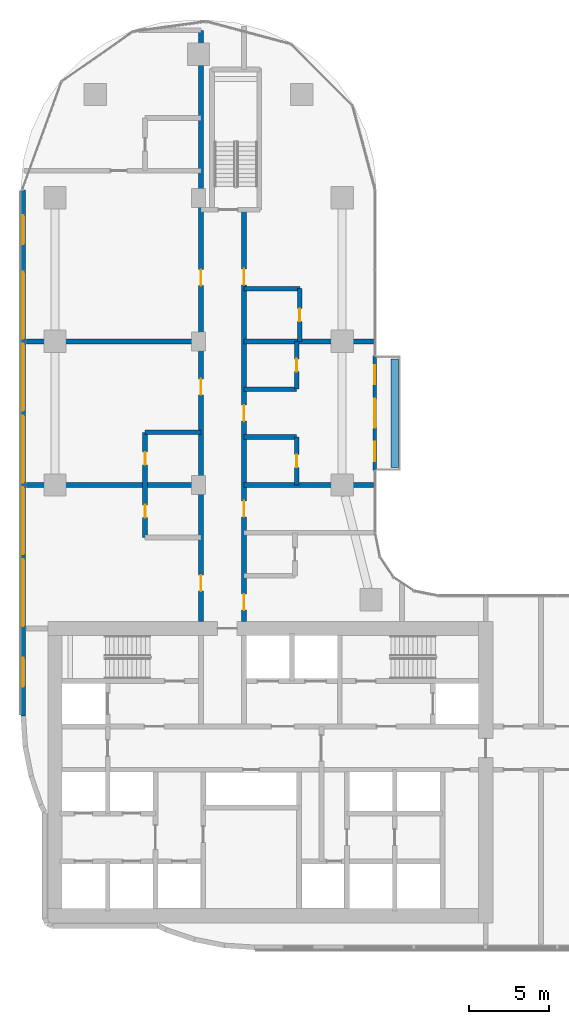
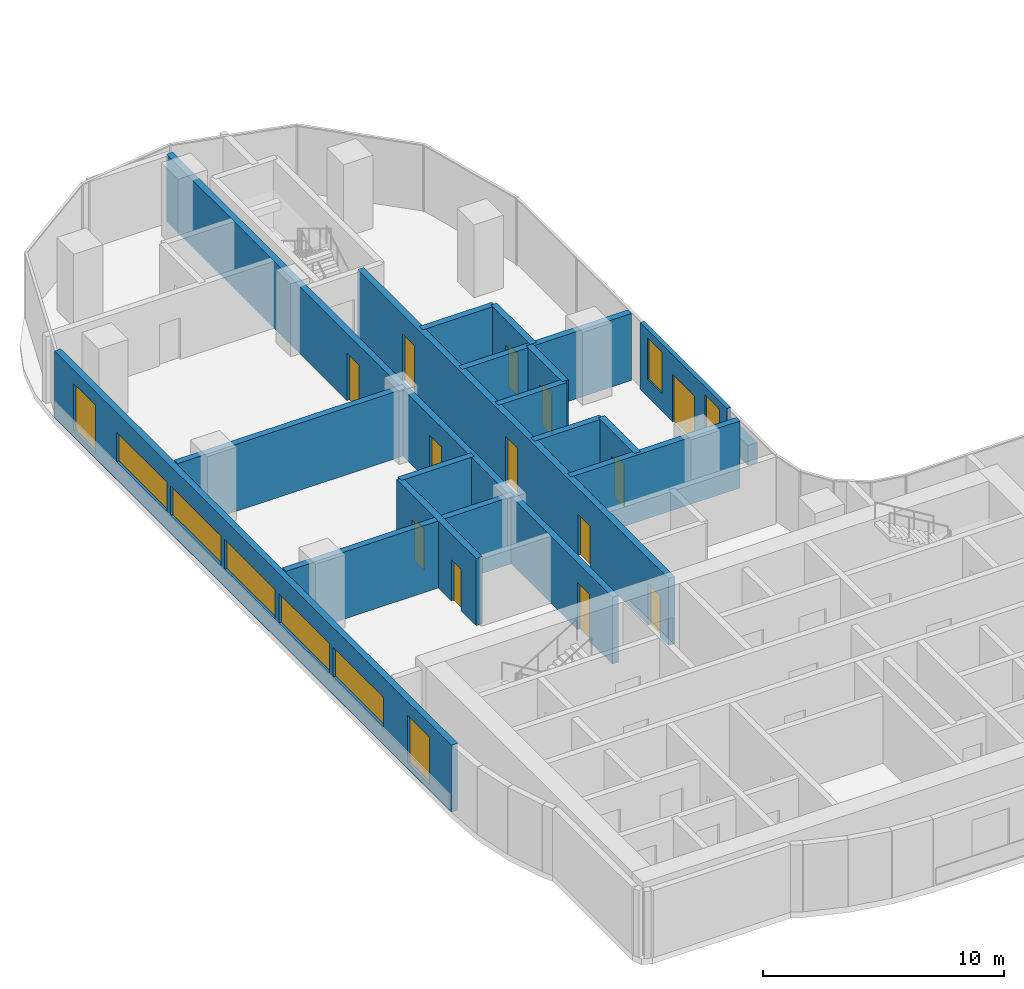
# One storey, part 19 of 32: 17 walls, 13 doors, 9 windows, 22 openings.
"""IFC4 building model written with IfcOpenShell, lengths in metres."""

from ifc_helpers import new_model, si_unit, direction, frame, frame_2d, origin, origin_2d, place, context, subcontext, project, spatial, rectangle, extrude, material, layer, layer_set, type_object, element, fill, save


model = new_model("IFC4")

# Units and contexts
model_context = context("Model", 3, precision=1e-05, world=origin(), true_north=direction((0.0, 1.0)))
body_context = subcontext(model_context, "Body", "Model", "MODEL_VIEW")
ifc_project = project(units=[si_unit("LENGTHUNIT", "METRE"), si_unit("AREAUNIT", "SQUARE_METRE"), si_unit("VOLUMEUNIT", "CUBIC_METRE"), si_unit("PLANEANGLEUNIT", "RADIAN"), si_unit("MASSUNIT", "GRAM", prefix="KILO")], contexts=[model_context])

# Site, building, storey
site_placement = place(None, origin())
site = spatial("IfcSite", under=ifc_project, at=site_placement, CompositionType="ELEMENT")
building_placement = place(site_placement, origin())
building = spatial("IfcBuilding", under=site, at=building_placement, Name="Ogive Portal Towers", CompositionType="ELEMENT")
storey_placement = place(building_placement, frame((0.0, 0.0, 55.699951171875)))
storey = spatial("IfcBuildingStorey", under=building, at=storey_placement, Name="L12", CompositionType="ELEMENT", Elevation=55.699951171875)

# Wall, openings, door, windows
ifc_material_1 = material(Name="Limestone cladding on lightweight block wall", Category="masonry")
ifc_layer_1 = layer(ifc_material_1, 0.199951171875)
ifc_layer_set_1 = layer_set([ifc_layer_1], Name="BALCONY BAY WALL 200")
wall_type_1 = type_object("IfcWallType", Name="BALCONY BAY WALL 200", PredefinedType="SOLIDWALL", material=ifc_layer_set_1)
wall_1_placement = place(storey_placement, frame((51.544921875, 56.60009765625, 0.0), z_axis=(0.0, 0.0, 1.0), x_axis=(0.0, -1.0, 0.0)))
wall_1 = element("IfcWall", 1, at=wall_1_placement, inside=storey, type_object=wall_type_1, Name="A:L12:f21:bay0", PredefinedType="SOLIDWALL", context=body_context, shape_type="SweptSolid", body=[
    extrude(rectangle(XDim=7.2001953125, YDim=0.199951171875, at=frame_2d((3.60009765625, 0.0))), origin(), (0.0, 0.0, 1.0), 3.400146484375),
])
opening_1_placement = place(wall_1_placement, frame((2.699951171875, 0.0, 0.0)))
opening_1 = element("IfcOpeningElement", 2, at=opening_1_placement, cuts=wall_1, Name="Opening DX026", PredefinedType="OPENING", context=body_context, shape_type="SweptSolid", body=[
    extrude(rectangle(XDim=1.800048828125, YDim=2.39990234375, at=frame_2d((0.89990234375, 1.199951171875))), frame((0.0, 0.10986328125, 0.0), z_axis=(0.0, -1.0, 0.0), x_axis=(1.0, 0.0, 0.0)), (0.0, 0.0, 1.0), 0.219970703125),
])
opening_2_placement = place(wall_1_placement, frame((5.39990234375, 0.0, 0.89990234375)))
opening_2 = element("IfcOpeningElement", 3, at=opening_2_placement, cuts=wall_1, Name="Opening WN2", PredefinedType="OPENING", context=body_context, shape_type="SweptSolid", body=[
    extrude(rectangle(XDim=1.199951171875, YDim=2.10009765625, at=frame_2d((0.60009765625, 1.050048828125))), frame((0.0, 0.10986328125, 0.0), z_axis=(0.0, -1.0, 0.0), x_axis=(1.0, 0.0, 0.0)), (0.0, 0.0, 1.0), 0.219970703125),
])
opening_3_placement = place(wall_1_placement, frame((0.60009765625, 0.0, 0.89990234375)))
opening_3 = element("IfcOpeningElement", 4, at=opening_3_placement, cuts=wall_1, Name="Opening WN2", PredefinedType="OPENING", context=body_context, shape_type="SweptSolid", body=[
    extrude(rectangle(XDim=1.199951171875, YDim=2.10009765625, at=frame_2d((0.60009765625, 1.050048828125))), frame((0.0, 0.10986328125, 0.0), z_axis=(0.0, -1.0, 0.0), x_axis=(1.0, 0.0, 0.0)), (0.0, 0.0, 1.0), 0.219970703125),
])
ifc_material_2 = material(Name="Aluminium 6063 anodised", Category="aluminium")
door_type_1 = type_object("IfcDoorType", Name="BALCONY DOOR 1800x2400", OperationType="DOUBLE_DOOR_SINGLE_SWING", PredefinedType="DOOR", material=ifc_material_2)
door_1_placement = place(opening_1_placement, origin())
door_1 = element("IfcDoor", 5, at=door_1_placement, inside=storey, type_object=door_type_1, Name="A:L12:f21:bay0/o0", OperationType="SINGLE_SWING_LEFT", OverallHeight=2.39990234375, OverallWidth=1.800048828125, PredefinedType="DOOR", context=body_context, shape_type="SweptSolid", body=[
    extrude(rectangle(XDim=1.800048828125, YDim=2.39990234375, at=frame_2d((0.89990234375, 1.199951171875))), frame((0.0, 0.02490234375, 0.0), z_axis=(0.0, -1.0, 0.0), x_axis=(1.0, 0.0, 0.0)), (0.0, 0.0, 1.0), 0.050048828125),
])
fill(opening_1, door_1)
ifc_material_3 = material(Name="Glass, clear low-iron insulated glazing", Category="glass")
window_type_1 = type_object("IfcWindowType", Name="WINDOW BALCONY BAY 1200x2100", PartitioningType="SINGLE_PANEL", PredefinedType="WINDOW", material=ifc_material_3)
window_1_placement = place(opening_2_placement, origin())
window_1 = element("IfcWindow", 6, at=window_1_placement, inside=storey, type_object=window_type_1, Name="A:L12:f21:bay0/o1", OverallHeight=2.10009765625, OverallWidth=1.199951171875, PartitioningType="SINGLE_PANEL", PredefinedType="WINDOW", context=body_context, shape_type="SweptSolid", body=[
    extrude(rectangle(XDim=1.199951171875, YDim=2.10009765625, at=frame_2d((0.60009765625, 1.050048828125))), frame((0.0, 0.030029296875, 0.0), z_axis=(0.0, -1.0, 0.0), x_axis=(1.0, 0.0, 0.0)), (0.0, 0.0, 1.0), 0.06005859375),
])
fill(opening_2, window_1)
window_2_placement = place(opening_3_placement, origin())
window_2 = element("IfcWindow", 7, at=window_2_placement, inside=storey, type_object=window_type_1, Name="A:L12:f21:bay0/o2", OverallHeight=2.10009765625, OverallWidth=1.199951171875, PartitioningType="SINGLE_PANEL", PredefinedType="WINDOW", context=body_context, shape_type="SweptSolid", body=[
    extrude(rectangle(XDim=1.199951171875, YDim=2.10009765625, at=frame_2d((0.60009765625, 1.050048828125))), frame((0.0, 0.030029296875, 0.0), z_axis=(0.0, -1.0, 0.0), x_axis=(1.0, 0.0, 0.0)), (0.0, 0.0, 1.0), 0.06005859375),
])
fill(opening_3, window_2)

# Wall, openings, windows
ifc_layer_2 = layer(ifc_material_1, 0.300048828125)
ifc_layer_set_2 = layer_set([ifc_layer_2], Name="EXTERNAL WALL 300 STONE")
wall_type_2 = type_object("IfcWallType", Name="EXTERNAL WALL 300 STONE", PredefinedType="SOLIDWALL", material=ifc_layer_set_2)
wall_2_placement = place(storey_placement, frame((29.5048828125, 66.98583984375, 0.0), z_axis=(0.0, 0.0, 1.0), x_axis=(0.0, -1.0, 0.0)))
wall_2 = element("IfcWall", 8, at=wall_2_placement, inside=storey, type_object=wall_type_2, Name="A:L12:f28:r0:wall", PredefinedType="SOLIDWALL", context=body_context, shape_type="SweptSolid", body=[
    extrude(rectangle(XDim=32.97607421875, YDim=0.300048828125, at=frame_2d((16.488037109375, 0.0))), origin(), (0.0, 0.0, 1.0), 3.400146484375),
])
opening_4_placement = place(wall_2_placement, frame((1.593017578125, 0.0, 0.300048828125)))
opening_4 = element("IfcOpeningElement", 9, at=opening_4_placement, cuts=wall_2, Name="Opening WN10", PredefinedType="OPENING", context=body_context, shape_type="SweptSolid", body=[
    extrude(rectangle(XDim=1.800048828125, YDim=2.39990234375, at=frame_2d((0.89990234375, 1.199951171875))), frame((0.0, 0.16015625, 0.0), z_axis=(0.0, -1.0, 0.0), x_axis=(1.0, 0.0, 0.0)), (0.0, 0.0, 1.0), 0.320068359375),
])
opening_5_placement = place(wall_2_placement, frame((5.135986328125, 0.0, 0.89990234375)))
opening_5 = element("IfcOpeningElement", 10, at=opening_5_placement, cuts=wall_2, Name="Opening WN11", PredefinedType="OPENING", context=body_context, shape_type="SweptSolid", body=[
    extrude(rectangle(XDim=4.199951171875, YDim=1.5, at=frame_2d((2.10009765625, 0.75))), frame((0.0, 0.16015625, 0.0), z_axis=(0.0, -1.0, 0.0), x_axis=(1.0, 0.0, 0.0)), (0.0, 0.0, 1.0), 0.320068359375),
])
opening_6_placement = place(wall_2_placement, frame((9.635986328125, 0.0, 0.89990234375)))
opening_6 = element("IfcOpeningElement", 11, at=opening_6_placement, cuts=wall_2, Name="Opening WN11", PredefinedType="OPENING", context=body_context, shape_type="SweptSolid", body=[
    extrude(rectangle(XDim=4.199951171875, YDim=1.5, at=frame_2d((2.10009765625, 0.75))), frame((0.0, 0.16015625, 0.0), z_axis=(0.0, -1.0, 0.0), x_axis=(1.0, 0.0, 0.0)), (0.0, 0.0, 1.0), 0.320068359375),
])
opening_7_placement = place(wall_2_placement, frame((14.135986328125, 0.0, 0.89990234375)))
opening_7 = element("IfcOpeningElement", 12, at=opening_7_placement, cuts=wall_2, Name="Opening WN11", PredefinedType="OPENING", context=body_context, shape_type="SweptSolid", body=[
    extrude(rectangle(XDim=4.199951171875, YDim=1.5, at=frame_2d((2.10009765625, 0.75))), frame((0.0, 0.16015625, 0.0), z_axis=(0.0, -1.0, 0.0), x_axis=(1.0, 0.0, 0.0)), (0.0, 0.0, 1.0), 0.320068359375),
])
opening_8_placement = place(wall_2_placement, frame((18.635986328125, 0.0, 0.89990234375)))
opening_8 = element("IfcOpeningElement", 13, at=opening_8_placement, cuts=wall_2, Name="Opening WN11", PredefinedType="OPENING", context=body_context, shape_type="SweptSolid", body=[
    extrude(rectangle(XDim=4.199951171875, YDim=1.5, at=frame_2d((2.10009765625, 0.75))), frame((0.0, 0.16015625, 0.0), z_axis=(0.0, -1.0, 0.0), x_axis=(1.0, 0.0, 0.0)), (0.0, 0.0, 1.0), 0.320068359375),
])
opening_9_placement = place(wall_2_placement, frame((23.135986328125, 0.0, 0.89990234375)))
opening_9 = element("IfcOpeningElement", 14, at=opening_9_placement, cuts=wall_2, Name="Opening WN11", PredefinedType="OPENING", context=body_context, shape_type="SweptSolid", body=[
    extrude(rectangle(XDim=4.199951171875, YDim=1.5, at=frame_2d((2.10009765625, 0.75))), frame((0.0, 0.16015625, 0.0), z_axis=(0.0, -1.0, 0.0), x_axis=(1.0, 0.0, 0.0)), (0.0, 0.0, 1.0), 0.320068359375),
])
opening_10_placement = place(wall_2_placement, frame((29.3310546875, 0.0, 0.300048828125)))
opening_10 = element("IfcOpeningElement", 15, at=opening_10_placement, cuts=wall_2, Name="Opening WN10", PredefinedType="OPENING", context=body_context, shape_type="SweptSolid", body=[
    extrude(rectangle(XDim=1.800048828125, YDim=2.39990234375, at=frame_2d((0.89990234375, 1.199951171875))), frame((0.0, 0.16015625, 0.0), z_axis=(0.0, -1.0, 0.0), x_axis=(1.0, 0.0, 0.0)), (0.0, 0.0, 1.0), 0.320068359375),
])
window_type_2 = type_object("IfcWindowType", Name="WINDOW RIBBON 4200x1500", PartitioningType="TRIPLE_PANEL_VERTICAL", PredefinedType="WINDOW", material=ifc_material_3)
window_3_placement = place(opening_5_placement, origin())
window_3 = element("IfcWindow", 16, at=window_3_placement, inside=storey, type_object=window_type_2, Name="A:L12:f28:r0:w1", OverallHeight=1.5, OverallWidth=4.199951171875, PartitioningType="SINGLE_PANEL", PredefinedType="WINDOW", context=body_context, shape_type="SweptSolid", body=[
    extrude(rectangle(XDim=4.199951171875, YDim=1.5, at=frame_2d((2.10009765625, 0.75))), frame((0.0, 0.030029296875, 0.0), z_axis=(0.0, -1.0, 0.0), x_axis=(1.0, 0.0, 0.0)), (0.0, 0.0, 1.0), 0.06005859375),
])
fill(opening_5, window_3)
window_4_placement = place(opening_6_placement, origin())
window_4 = element("IfcWindow", 17, at=window_4_placement, inside=storey, type_object=window_type_2, Name="A:L12:f28:r0:w2", OverallHeight=1.5, OverallWidth=4.199951171875, PartitioningType="SINGLE_PANEL", PredefinedType="WINDOW", context=body_context, shape_type="SweptSolid", body=[
    extrude(rectangle(XDim=4.199951171875, YDim=1.5, at=frame_2d((2.10009765625, 0.75))), frame((0.0, 0.030029296875, 0.0), z_axis=(0.0, -1.0, 0.0), x_axis=(1.0, 0.0, 0.0)), (0.0, 0.0, 1.0), 0.06005859375),
])
fill(opening_6, window_4)
window_5_placement = place(opening_7_placement, origin())
window_5 = element("IfcWindow", 18, at=window_5_placement, inside=storey, type_object=window_type_2, Name="A:L12:f28:r0:w3", OverallHeight=1.5, OverallWidth=4.199951171875, PartitioningType="SINGLE_PANEL", PredefinedType="WINDOW", context=body_context, shape_type="SweptSolid", body=[
    extrude(rectangle(XDim=4.199951171875, YDim=1.5, at=frame_2d((2.10009765625, 0.75))), frame((0.0, 0.030029296875, 0.0), z_axis=(0.0, -1.0, 0.0), x_axis=(1.0, 0.0, 0.0)), (0.0, 0.0, 1.0), 0.06005859375),
])
fill(opening_7, window_5)
window_6_placement = place(opening_8_placement, origin())
window_6 = element("IfcWindow", 19, at=window_6_placement, inside=storey, type_object=window_type_2, Name="A:L12:f28:r0:w4", OverallHeight=1.5, OverallWidth=4.199951171875, PartitioningType="SINGLE_PANEL", PredefinedType="WINDOW", context=body_context, shape_type="SweptSolid", body=[
    extrude(rectangle(XDim=4.199951171875, YDim=1.5, at=frame_2d((2.10009765625, 0.75))), frame((0.0, 0.030029296875, 0.0), z_axis=(0.0, -1.0, 0.0), x_axis=(1.0, 0.0, 0.0)), (0.0, 0.0, 1.0), 0.06005859375),
])
fill(opening_8, window_6)
window_7_placement = place(opening_9_placement, origin())
window_7 = element("IfcWindow", 20, at=window_7_placement, inside=storey, type_object=window_type_2, Name="A:L12:f28:r0:w5", OverallHeight=1.5, OverallWidth=4.199951171875, PartitioningType="SINGLE_PANEL", PredefinedType="WINDOW", context=body_context, shape_type="SweptSolid", body=[
    extrude(rectangle(XDim=4.199951171875, YDim=1.5, at=frame_2d((2.10009765625, 0.75))), frame((0.0, 0.030029296875, 0.0), z_axis=(0.0, -1.0, 0.0), x_axis=(1.0, 0.0, 0.0)), (0.0, 0.0, 1.0), 0.06005859375),
])
fill(opening_9, window_7)
window_type_3 = type_object("IfcWindowType", Name="WINDOW SUITE CORNER 1800x2400", PartitioningType="DOUBLE_PANEL_VERTICAL", PredefinedType="WINDOW", material=ifc_material_3)
window_8_placement = place(opening_4_placement, origin())
window_8 = element("IfcWindow", 21, at=window_8_placement, inside=storey, type_object=window_type_3, Name="A:L12:f28:r0:w0", OverallHeight=2.39990234375, OverallWidth=1.800048828125, PartitioningType="SINGLE_PANEL", PredefinedType="WINDOW", context=body_context, shape_type="SweptSolid", body=[
    extrude(rectangle(XDim=1.800048828125, YDim=2.39990234375, at=frame_2d((0.89990234375, 1.199951171875))), frame((0.0, 0.030029296875, 0.0), z_axis=(0.0, -1.0, 0.0), x_axis=(1.0, 0.0, 0.0)), (0.0, 0.0, 1.0), 0.06005859375),
])
fill(opening_4, window_8)
window_9_placement = place(opening_10_placement, origin())
window_9 = element("IfcWindow", 22, at=window_9_placement, inside=storey, type_object=window_type_3, Name="A:L12:f28:r0:w6", OverallHeight=2.39990234375, OverallWidth=1.800048828125, PartitioningType="SINGLE_PANEL", PredefinedType="WINDOW", context=body_context, shape_type="SweptSolid", body=[
    extrude(rectangle(XDim=1.800048828125, YDim=2.39990234375, at=frame_2d((0.89990234375, 1.199951171875))), frame((0.0, 0.030029296875, 0.0), z_axis=(0.0, -1.0, 0.0), x_axis=(1.0, 0.0, 0.0)), (0.0, 0.0, 1.0), 0.06005859375),
])
fill(opening_10, window_9)

# Walls
ifc_material_4 = material(Name="Concrete C40/50", Category="concrete")
ifc_layer_3 = layer(ifc_material_4, 0.449951171875)
ifc_layer_set_3 = layer_set([ifc_layer_3], Name="PLANTER WALL 450")
wall_type_3 = type_object("IfcWallType", Name="PLANTER WALL 450", PredefinedType="SOLIDWALL", material=ifc_layer_set_3)
wall_3_placement = place(storey_placement, frame((52.800048828125, 53.0, 0.0), z_axis=(0.0, 0.0, 1.0), x_axis=(1.0, 0.0, 0.0)))
element("IfcWall", 23, at=wall_3_placement, inside=storey, type_object=wall_type_3, Name="Planter S1", PredefinedType="SOLIDWALL", context=body_context, shape_type="SweptSolid", body=[
    extrude(rectangle(XDim=0.449951171875, YDim=6.800048828125, at=origin_2d()), origin(), (0.0, 0.0, 1.0), 1.0),
])
ifc_material_5 = material(Name="Gypsum board partition on steel studs", Category="steel")
ifc_layer_4 = layer(ifc_material_5, 0.300048828125)
ifc_layer_set_4 = layer_set([ifc_layer_4], Name="WT-PART-300-EI 60")
wall_type_4 = type_object("IfcWallType", Name="WT-PART-300-EI 60", PredefinedType="PARTITIONING", material=ifc_layer_set_4)
wall_4_placement = place(storey_placement, frame((29.705078125, 48.5, 0.0), z_axis=(0.0, 0.0, 1.0), x_axis=(1.0, 0.0, 0.0)))
element("IfcWall", 24, at=wall_4_placement, inside=storey, type_object=wall_type_4, Name="Wall L12:w018", PredefinedType="PARTITIONING", context=body_context, shape_type="SweptSolid", body=[
    extrude(rectangle(XDim=10.94482421875, YDim=0.300048828125, at=frame_2d((5.472412109375, 0.0))), origin(), (0.0, 0.0, 1.0), 3.400146484375),
])
wall_5_placement = place(storey_placement, frame((43.35009765625, 48.5, 0.0), z_axis=(0.0, 0.0, 1.0), x_axis=(1.0, 0.0, 0.0)))
element("IfcWall", 25, at=wall_5_placement, inside=storey, type_object=wall_type_4, Name="Wall L12:w019", PredefinedType="PARTITIONING", context=body_context, shape_type="SweptSolid", body=[
    extrude(rectangle(XDim=8.125, YDim=0.300048828125, at=frame_2d((4.0625, 0.0))), origin(), (0.0, 0.0, 1.0), 3.400146484375),
])
wall_6_placement = place(storey_placement, frame((43.35009765625, 51.5, 0.0), z_axis=(0.0, 0.0, 1.0), x_axis=(1.0, 0.0, 0.0)))
element("IfcWall", 26, at=wall_6_placement, inside=storey, type_object=wall_type_4, Name="Wall L12:w020", PredefinedType="PARTITIONING", context=body_context, shape_type="SweptSolid", body=[
    extrude(rectangle(XDim=3.2998046875, YDim=0.300048828125, at=frame_2d((1.64990234375, 0.0))), origin(), (0.0, 0.0, 1.0), 3.400146484375),
])
wall_7_placement = place(storey_placement, frame((37.14990234375, 51.800048828125, 0.0), z_axis=(0.0, 0.0, 1.0), x_axis=(1.0, 0.0, 0.0)))
element("IfcWall", 27, at=wall_7_placement, inside=storey, type_object=wall_type_4, Name="Wall L12:w021", PredefinedType="PARTITIONING", context=body_context, shape_type="SweptSolid", body=[
    extrude(rectangle(XDim=3.5, YDim=0.300048828125, at=frame_2d((1.75, 0.0))), origin(), (0.0, 0.0, 1.0), 3.400146484375),
])
wall_8_placement = place(storey_placement, frame((43.35009765625, 54.5, 0.0), z_axis=(0.0, 0.0, 1.0), x_axis=(1.0, 0.0, 0.0)))
element("IfcWall", 28, at=wall_8_placement, inside=storey, type_object=wall_type_4, Name="Wall L12:w022", PredefinedType="PARTITIONING", context=body_context, shape_type="SweptSolid", body=[
    extrude(rectangle(XDim=3.2998046875, YDim=0.300048828125, at=frame_2d((1.64990234375, 0.0))), origin(), (0.0, 0.0, 1.0), 3.400146484375),
])
wall_9_placement = place(storey_placement, frame((29.705078125, 57.5, 0.0), z_axis=(0.0, 0.0, 1.0), x_axis=(1.0, 0.0, 0.0)))
element("IfcWall", 29, at=wall_9_placement, inside=storey, type_object=wall_type_4, Name="Wall L12:w023", PredefinedType="PARTITIONING", context=body_context, shape_type="SweptSolid", body=[
    extrude(rectangle(XDim=10.94482421875, YDim=0.300048828125, at=frame_2d((5.472412109375, 0.0))), origin(), (0.0, 0.0, 1.0), 3.400146484375),
])
wall_10_placement = place(storey_placement, frame((43.35009765625, 57.5, 0.0), z_axis=(0.0, 0.0, 1.0), x_axis=(1.0, 0.0, 0.0)))
element("IfcWall", 30, at=wall_10_placement, inside=storey, type_object=wall_type_4, Name="Wall L12:w024", PredefinedType="PARTITIONING", context=body_context, shape_type="SweptSolid", body=[
    extrude(rectangle(XDim=8.125, YDim=0.300048828125, at=frame_2d((4.0625, 0.0))), origin(), (0.0, 0.0, 1.0), 3.400146484375),
])
wall_11_placement = place(storey_placement, frame((43.35009765625, 60.800048828125, 0.0), z_axis=(0.0, 0.0, 1.0), x_axis=(1.0, 0.0, 0.0)))
element("IfcWall", 31, at=wall_11_placement, inside=storey, type_object=wall_type_4, Name="Wall L12:w025", PredefinedType="PARTITIONING", context=body_context, shape_type="SweptSolid", body=[
    extrude(rectangle(XDim=3.5, YDim=0.300048828125, at=frame_2d((1.75, 0.0))), origin(), (0.0, 0.0, 1.0), 3.400146484375),
])

# Wall, openings, doors
wall_12_placement = place(storey_placement, frame((37.14990234375, 45.199951171875, 0.0), z_axis=(0.0, 0.0, 1.0), x_axis=(0.0, 1.0, 0.0)))
wall_12 = element("IfcWall", 32, at=wall_12_placement, inside=storey, type_object=wall_type_4, Name="Wall L12:w031", PredefinedType="PARTITIONING", context=body_context, shape_type="SweptSolid", body=[
    extrude(rectangle(XDim=6.60009765625, YDim=0.300048828125, at=frame_2d((3.300048828125, 0.0))), origin(), (0.0, 0.0, 1.0), 3.400146484375),
])
opening_11_placement = place(wall_12_placement, frame((1.25, 0.0, 0.0)))
opening_11 = element("IfcOpeningElement", 33, at=opening_11_placement, cuts=wall_12, Name="Opening D03-046", PredefinedType="OPENING", context=body_context, shape_type="SweptSolid", body=[
    extrude(rectangle(XDim=0.800048828125, YDim=2.10009765625, at=frame_2d((0.39990234375, 1.050048828125))), frame((0.0, 0.16015625, 0.0), z_axis=(0.0, -1.0, 0.0), x_axis=(1.0, 0.0, 0.0)), (0.0, 0.0, 1.0), 0.320068359375),
])
opening_12_placement = place(wall_12_placement, frame((4.550048828125, 0.0, 0.0)))
opening_12 = element("IfcOpeningElement", 34, at=opening_12_placement, cuts=wall_12, Name="Opening D03-051", PredefinedType="OPENING", context=body_context, shape_type="SweptSolid", body=[
    extrude(rectangle(XDim=0.800048828125, YDim=2.10009765625, at=frame_2d((0.39990234375, 1.050048828125))), frame((0.0, 0.16015625, 0.0), z_axis=(0.0, -1.0, 0.0), x_axis=(1.0, 0.0, 0.0)), (0.0, 0.0, 1.0), 0.320068359375),
])
ifc_material_6 = material(Name="Steel fire door", Category="steel")
door_type_2 = type_object("IfcDoorType", Name="DT-BATH-800x2100-FD60S", OperationType="SINGLE_SWING_LEFT", PredefinedType="DOOR", material=ifc_material_6)
door_2_placement = place(opening_11_placement, origin())
door_2 = element("IfcDoor", 35, at=door_2_placement, inside=storey, type_object=door_type_2, Name="Door D03-046", OperationType="SINGLE_SWING_LEFT", OverallHeight=2.10009765625, OverallWidth=0.800048828125, PredefinedType="DOOR", context=body_context, shape_type="SweptSolid", body=[
    extrude(rectangle(XDim=0.800048828125, YDim=2.10009765625, at=frame_2d((0.39990234375, 1.050048828125))), frame((0.0, 0.02490234375, 0.0), z_axis=(0.0, -1.0, 0.0), x_axis=(1.0, 0.0, 0.0)), (0.0, 0.0, 1.0), 0.050048828125),
])
fill(opening_11, door_2)
door_3_placement = place(opening_12_placement, origin())
door_3 = element("IfcDoor", 36, at=door_3_placement, inside=storey, type_object=door_type_2, Name="Door D03-051", OperationType="SINGLE_SWING_RIGHT", OverallHeight=2.10009765625, OverallWidth=0.800048828125, PredefinedType="DOOR", context=body_context, shape_type="SweptSolid", body=[
    extrude(rectangle(XDim=0.800048828125, YDim=2.10009765625, at=frame_2d((0.39990234375, 1.050048828125))), frame((0.0, 0.02490234375, 0.0), z_axis=(0.0, -1.0, 0.0), x_axis=(1.0, 0.0, 0.0)), (0.0, 0.0, 1.0), 0.050048828125),
])
fill(opening_12, door_3)

wall_13_placement = place(storey_placement, frame((40.64990234375, 39.949951171875, 0.0), z_axis=(0.0, 0.0, 1.0), x_axis=(0.0, 1.0, 0.0)))
wall_13 = element("IfcWall", 37, at=wall_13_placement, inside=storey, type_object=wall_type_4, Name="Wall L12:w033", PredefinedType="PARTITIONING", context=body_context, shape_type="SweptSolid", body=[
    extrude(rectangle(XDim=37.050048828125, YDim=0.300048828125, at=frame_2d((18.52490234375, 0.0))), origin(), (0.0, 0.0, 1.0), 3.400146484375),
])
opening_13_placement = place(wall_13_placement, frame((1.89990234375, 0.0, 0.0)))
opening_13 = element("IfcOpeningElement", 38, at=opening_13_placement, cuts=wall_13, Name="Opening D03-047", PredefinedType="OPENING", context=body_context, shape_type="SweptSolid", body=[
    extrude(rectangle(XDim=1.0, YDim=2.39990234375, at=frame_2d((0.5, 1.199951171875))), frame((0.0, 0.16015625, 0.0), z_axis=(0.0, -1.0, 0.0), x_axis=(1.0, 0.0, 0.0)), (0.0, 0.0, 1.0), 0.320068359375),
])
opening_14_placement = place(wall_13_placement, frame((14.199951171875, 0.0, 0.0)))
opening_14 = element("IfcOpeningElement", 39, at=opening_14_placement, cuts=wall_13, Name="Opening D03-052", PredefinedType="OPENING", context=body_context, shape_type="SweptSolid", body=[
    extrude(rectangle(XDim=1.0, YDim=2.39990234375, at=frame_2d((0.5, 1.199951171875))), frame((0.0, 0.16015625, 0.0), z_axis=(0.0, -1.0, 0.0), x_axis=(1.0, 0.0, 0.0)), (0.0, 0.0, 1.0), 0.320068359375),
])
opening_15_placement = place(wall_13_placement, frame((21.050048828125, 0.0, 0.0)))
opening_15 = element("IfcOpeningElement", 40, at=opening_15_placement, cuts=wall_13, Name="Opening D03-055", PredefinedType="OPENING", context=body_context, shape_type="SweptSolid", body=[
    extrude(rectangle(XDim=1.0, YDim=2.39990234375, at=frame_2d((0.5, 1.199951171875))), frame((0.0, 0.16015625, 0.0), z_axis=(0.0, -1.0, 0.0), x_axis=(1.0, 0.0, 0.0)), (0.0, 0.0, 1.0), 0.320068359375),
])
door_type_3 = type_object("IfcDoorType", Name="DT-ENTRY-1000x2400-FD60S", OperationType="SINGLE_SWING_LEFT", PredefinedType="DOOR", material=ifc_material_6)
door_4_placement = place(opening_13_placement, origin())
door_4 = element("IfcDoor", 41, at=door_4_placement, inside=storey, type_object=door_type_3, Name="Door D03-047", OperationType="SINGLE_SWING_RIGHT", OverallHeight=2.39990234375, OverallWidth=1.0, PredefinedType="DOOR", context=body_context, shape_type="SweptSolid", body=[
    extrude(rectangle(XDim=1.0, YDim=2.39990234375, at=frame_2d((0.5, 1.199951171875))), frame((0.0, 0.02490234375, 0.0), z_axis=(0.0, -1.0, 0.0), x_axis=(1.0, 0.0, 0.0)), (0.0, 0.0, 1.0), 0.050048828125),
])
fill(opening_13, door_4)
door_5_placement = place(opening_14_placement, origin())
door_5 = element("IfcDoor", 42, at=door_5_placement, inside=storey, type_object=door_type_3, Name="Door D03-052", OperationType="SINGLE_SWING_LEFT", OverallHeight=2.39990234375, OverallWidth=1.0, PredefinedType="DOOR", context=body_context, shape_type="SweptSolid", body=[
    extrude(rectangle(XDim=1.0, YDim=2.39990234375, at=frame_2d((0.5, 1.199951171875))), frame((0.0, 0.02490234375, 0.0), z_axis=(0.0, -1.0, 0.0), x_axis=(1.0, 0.0, 0.0)), (0.0, 0.0, 1.0), 0.050048828125),
])
fill(opening_14, door_5)
door_6_placement = place(opening_15_placement, origin())
door_6 = element("IfcDoor", 43, at=door_6_placement, inside=storey, type_object=door_type_3, Name="Door D03-055", OperationType="SINGLE_SWING_RIGHT", OverallHeight=2.39990234375, OverallWidth=1.0, PredefinedType="DOOR", context=body_context, shape_type="SweptSolid", body=[
    extrude(rectangle(XDim=1.0, YDim=2.39990234375, at=frame_2d((0.5, 1.199951171875))), frame((0.0, 0.02490234375, 0.0), z_axis=(0.0, -1.0, 0.0), x_axis=(1.0, 0.0, 0.0)), (0.0, 0.0, 1.0), 0.050048828125),
])
fill(opening_15, door_6)

# Wall, opening, door
wall_14_placement = place(storey_placement, frame((46.64990234375, 48.5, 0.0), z_axis=(0.0, 0.0, 1.0), x_axis=(0.0, 1.0, 0.0)))
wall_14 = element("IfcWall", 44, at=wall_14_placement, inside=storey, type_object=wall_type_4, Name="Wall L12:w039", PredefinedType="PARTITIONING", context=body_context, shape_type="SweptSolid", body=[
    extrude(rectangle(XDim=3.0, YDim=0.300048828125, at=frame_2d((1.5, 0.0))), origin(), (0.0, 0.0, 1.0), 3.400146484375),
])
opening_16_placement = place(wall_14_placement, frame((1.10009765625, 0.0, 0.0)))
opening_16 = element("IfcOpeningElement", 45, at=opening_16_placement, cuts=wall_14, Name="Opening D03-048", PredefinedType="OPENING", context=body_context, shape_type="SweptSolid", body=[
    extrude(rectangle(XDim=0.800048828125, YDim=2.10009765625, at=frame_2d((0.39990234375, 1.050048828125))), frame((0.0, 0.16015625, 0.0), z_axis=(0.0, -1.0, 0.0), x_axis=(1.0, 0.0, 0.0)), (0.0, 0.0, 1.0), 0.320068359375),
])
door_7_placement = place(opening_16_placement, origin())
door_7 = element("IfcDoor", 46, at=door_7_placement, inside=storey, type_object=door_type_2, Name="Door D03-048", OperationType="SINGLE_SWING_RIGHT", OverallHeight=2.10009765625, OverallWidth=0.800048828125, PredefinedType="DOOR", context=body_context, shape_type="SweptSolid", body=[
    extrude(rectangle(XDim=0.800048828125, YDim=2.10009765625, at=frame_2d((0.39990234375, 1.050048828125))), frame((0.0, 0.02490234375, 0.0), z_axis=(0.0, -1.0, 0.0), x_axis=(1.0, 0.0, 0.0)), (0.0, 0.0, 1.0), 0.050048828125),
])
fill(opening_16, door_7)

wall_15_placement = place(storey_placement, frame((46.64990234375, 54.5, 0.0), z_axis=(0.0, 0.0, 1.0), x_axis=(0.0, 1.0, 0.0)))
wall_15 = element("IfcWall", 47, at=wall_15_placement, inside=storey, type_object=wall_type_4, Name="Wall L12:w040", PredefinedType="PARTITIONING", context=body_context, shape_type="SweptSolid", body=[
    extrude(rectangle(XDim=3.0, YDim=0.300048828125, at=frame_2d((1.5, 0.0))), origin(), (0.0, 0.0, 1.0), 3.400146484375),
])
opening_17_placement = place(wall_15_placement, frame((1.10009765625, 0.0, 0.0)))
opening_17 = element("IfcOpeningElement", 48, at=opening_17_placement, cuts=wall_15, Name="Opening D03-049", PredefinedType="OPENING", context=body_context, shape_type="SweptSolid", body=[
    extrude(rectangle(XDim=0.800048828125, YDim=2.10009765625, at=frame_2d((0.39990234375, 1.050048828125))), frame((0.0, 0.16015625, 0.0), z_axis=(0.0, -1.0, 0.0), x_axis=(1.0, 0.0, 0.0)), (0.0, 0.0, 1.0), 0.320068359375),
])
door_8_placement = place(opening_17_placement, origin())
door_8 = element("IfcDoor", 49, at=door_8_placement, inside=storey, type_object=door_type_2, Name="Door D03-049", OperationType="SINGLE_SWING_LEFT", OverallHeight=2.10009765625, OverallWidth=0.800048828125, PredefinedType="DOOR", context=body_context, shape_type="SweptSolid", body=[
    extrude(rectangle(XDim=0.800048828125, YDim=2.10009765625, at=frame_2d((0.39990234375, 1.050048828125))), frame((0.0, 0.02490234375, 0.0), z_axis=(0.0, -1.0, 0.0), x_axis=(1.0, 0.0, 0.0)), (0.0, 0.0, 1.0), 0.050048828125),
])
fill(opening_17, door_8)

wall_16_placement = place(storey_placement, frame((46.85009765625, 57.5, 0.0), z_axis=(0.0, 0.0, 1.0), x_axis=(0.0, 1.0, 0.0)))
wall_16 = element("IfcWall", 50, at=wall_16_placement, inside=storey, type_object=wall_type_4, Name="Wall L12:w041", PredefinedType="PARTITIONING", context=body_context, shape_type="SweptSolid", body=[
    extrude(rectangle(XDim=3.300048828125, YDim=0.300048828125, at=frame_2d((1.64990234375, 0.0))), origin(), (0.0, 0.0, 1.0), 3.400146484375),
])
opening_18_placement = place(wall_16_placement, frame((1.25, 0.0, 0.0)))
opening_18 = element("IfcOpeningElement", 51, at=opening_18_placement, cuts=wall_16, Name="Opening D03-053", PredefinedType="OPENING", context=body_context, shape_type="SweptSolid", body=[
    extrude(rectangle(XDim=0.800048828125, YDim=2.10009765625, at=frame_2d((0.39990234375, 1.050048828125))), frame((0.0, 0.16015625, 0.0), z_axis=(0.0, -1.0, 0.0), x_axis=(1.0, 0.0, 0.0)), (0.0, 0.0, 1.0), 0.320068359375),
])
door_9_placement = place(opening_18_placement, origin())
door_9 = element("IfcDoor", 52, at=door_9_placement, inside=storey, type_object=door_type_2, Name="Door D03-053", OperationType="SINGLE_SWING_LEFT", OverallHeight=2.10009765625, OverallWidth=0.800048828125, PredefinedType="DOOR", context=body_context, shape_type="SweptSolid", body=[
    extrude(rectangle(XDim=0.800048828125, YDim=2.10009765625, at=frame_2d((0.39990234375, 1.050048828125))), frame((0.0, 0.02490234375, 0.0), z_axis=(0.0, -1.0, 0.0), x_axis=(1.0, 0.0, 0.0)), (0.0, 0.0, 1.0), 0.050048828125),
])
fill(opening_18, door_9)

# Wall, openings, doors
ifc_layer_5 = layer(ifc_material_4, 0.300048828125)
ifc_layer_set_5 = layer_set([ifc_layer_5], Name="WT-SHAFT-300")
wall_type_5 = type_object("IfcWallType", Name="WT-SHAFT-300", PredefinedType="SOLIDWALL", material=ifc_layer_set_5)
wall_17_placement = place(storey_placement, frame((43.35009765625, 39.949951171875, 0.0), z_axis=(0.0, 0.0, 1.0), x_axis=(0.0, 1.0, 0.0)))
wall_17 = element("IfcWall", 53, at=wall_17_placement, inside=storey, type_object=wall_type_5, Name="Wall L12:w035", PredefinedType="SOLIDWALL", context=body_context, shape_type="SweptSolid", body=[
    extrude(rectangle(XDim=25.85009765625, YDim=0.300048828125, at=frame_2d((12.925048828125, 0.0))), origin(), (0.0, 0.0, 1.0), 3.400146484375),
])
opening_19_placement = place(wall_17_placement, frame((0.699951171875, 0.0, 0.0)))
opening_19 = element("IfcOpeningElement", 54, at=opening_19_placement, cuts=wall_17, Name="Opening D03-044", PredefinedType="OPENING", context=body_context, shape_type="SweptSolid", body=[
    extrude(rectangle(XDim=1.0, YDim=2.10009765625, at=frame_2d((0.5, 1.050048828125))), frame((0.0, 0.16015625, 0.0), z_axis=(0.0, -1.0, 0.0), x_axis=(1.0, 0.0, 0.0)), (0.0, 0.0, 1.0), 0.320068359375),
])
opening_20_placement = place(wall_17_placement, frame((6.550048828125, 0.0, 0.0)))
opening_20 = element("IfcOpeningElement", 55, at=opening_20_placement, cuts=wall_17, Name="Opening D03-045", PredefinedType="OPENING", context=body_context, shape_type="SweptSolid", body=[
    extrude(rectangle(XDim=1.0, YDim=2.10009765625, at=frame_2d((0.5, 1.050048828125))), frame((0.0, 0.16015625, 0.0), z_axis=(0.0, -1.0, 0.0), x_axis=(1.0, 0.0, 0.0)), (0.0, 0.0, 1.0), 0.320068359375),
])
opening_21_placement = place(wall_17_placement, frame((12.550048828125, 0.0, 0.0)))
opening_21 = element("IfcOpeningElement", 56, at=opening_21_placement, cuts=wall_17, Name="Opening D03-050", PredefinedType="OPENING", context=body_context, shape_type="SweptSolid", body=[
    extrude(rectangle(XDim=1.0, YDim=2.39990234375, at=frame_2d((0.5, 1.199951171875))), frame((0.0, 0.16015625, 0.0), z_axis=(0.0, -1.0, 0.0), x_axis=(1.0, 0.0, 0.0)), (0.0, 0.0, 1.0), 0.320068359375),
])
opening_22_placement = place(wall_17_placement, frame((21.10009765625, 0.0, 0.0)))
opening_22 = element("IfcOpeningElement", 57, at=opening_22_placement, cuts=wall_17, Name="Opening D03-054", PredefinedType="OPENING", context=body_context, shape_type="SweptSolid", body=[
    extrude(rectangle(XDim=1.0, YDim=2.39990234375, at=frame_2d((0.5, 1.199951171875))), frame((0.0, 0.16015625, 0.0), z_axis=(0.0, -1.0, 0.0), x_axis=(1.0, 0.0, 0.0)), (0.0, 0.0, 1.0), 0.320068359375),
])
door_type_4 = type_object("IfcDoorType", Name="DT-ENTRY-1000x2100-FD90S", OperationType="SINGLE_SWING_LEFT", PredefinedType="DOOR", material=ifc_material_6)
door_10_placement = place(opening_19_placement, origin())
door_10 = element("IfcDoor", 58, at=door_10_placement, inside=storey, type_object=door_type_4, Name="Door D03-044", OperationType="SINGLE_SWING_RIGHT", OverallHeight=2.10009765625, OverallWidth=1.0, PredefinedType="DOOR", context=body_context, shape_type="SweptSolid", body=[
    extrude(rectangle(XDim=1.0, YDim=2.10009765625, at=frame_2d((0.5, 1.050048828125))), frame((0.0, 0.02490234375, 0.0), z_axis=(0.0, -1.0, 0.0), x_axis=(1.0, 0.0, 0.0)), (0.0, 0.0, 1.0), 0.050048828125),
])
fill(opening_19, door_10)
door_11_placement = place(opening_20_placement, origin())
door_11 = element("IfcDoor", 59, at=door_11_placement, inside=storey, type_object=door_type_4, Name="Door D03-045", OperationType="SINGLE_SWING_LEFT", OverallHeight=2.10009765625, OverallWidth=1.0, PredefinedType="DOOR", context=body_context, shape_type="SweptSolid", body=[
    extrude(rectangle(XDim=1.0, YDim=2.10009765625, at=frame_2d((0.5, 1.050048828125))), frame((0.0, 0.02490234375, 0.0), z_axis=(0.0, -1.0, 0.0), x_axis=(1.0, 0.0, 0.0)), (0.0, 0.0, 1.0), 0.050048828125),
])
fill(opening_20, door_11)
door_type_5 = type_object("IfcDoorType", Name="DT-ENTRY-1000x2400-FD90S", OperationType="SINGLE_SWING_LEFT", PredefinedType="DOOR", material=ifc_material_6)
door_12_placement = place(opening_21_placement, origin())
door_12 = element("IfcDoor", 60, at=door_12_placement, inside=storey, type_object=door_type_5, Name="Door D03-050", OperationType="SINGLE_SWING_LEFT", OverallHeight=2.39990234375, OverallWidth=1.0, PredefinedType="DOOR", context=body_context, shape_type="SweptSolid", body=[
    extrude(rectangle(XDim=1.0, YDim=2.39990234375, at=frame_2d((0.5, 1.199951171875))), frame((0.0, 0.02490234375, 0.0), z_axis=(0.0, -1.0, 0.0), x_axis=(1.0, 0.0, 0.0)), (0.0, 0.0, 1.0), 0.050048828125),
])
fill(opening_21, door_12)
door_13_placement = place(opening_22_placement, origin())
door_13 = element("IfcDoor", 61, at=door_13_placement, inside=storey, type_object=door_type_5, Name="Door D03-054", OperationType="SINGLE_SWING_LEFT", OverallHeight=2.39990234375, OverallWidth=1.0, PredefinedType="DOOR", context=body_context, shape_type="SweptSolid", body=[
    extrude(rectangle(XDim=1.0, YDim=2.39990234375, at=frame_2d((0.5, 1.199951171875))), frame((0.0, 0.02490234375, 0.0), z_axis=(0.0, -1.0, 0.0), x_axis=(1.0, 0.0, 0.0)), (0.0, 0.0, 1.0), 0.050048828125),
])
fill(opening_22, door_13)

save(model, "model.ifc")
